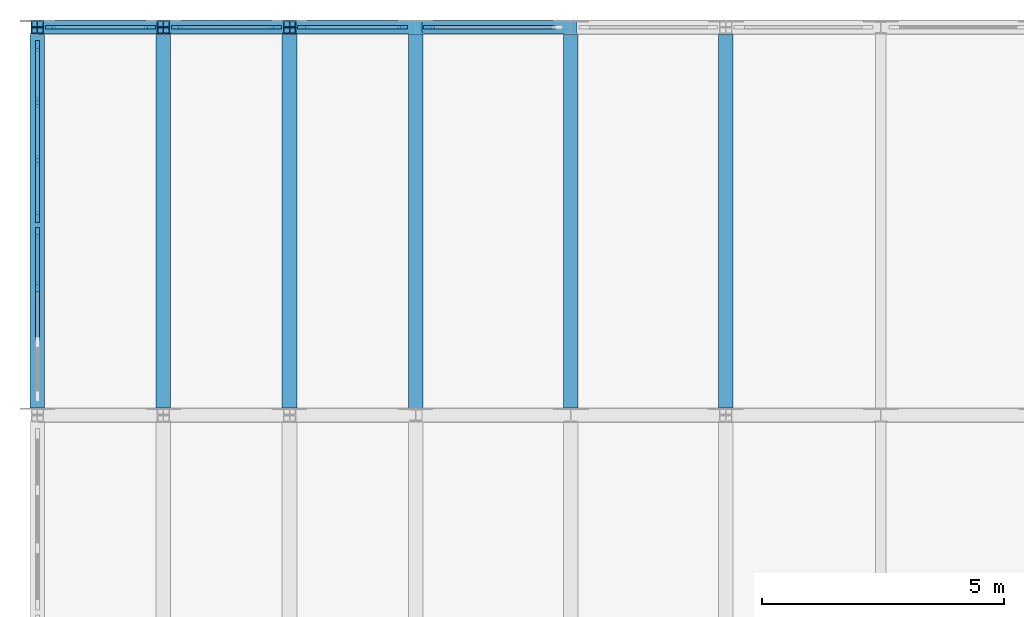
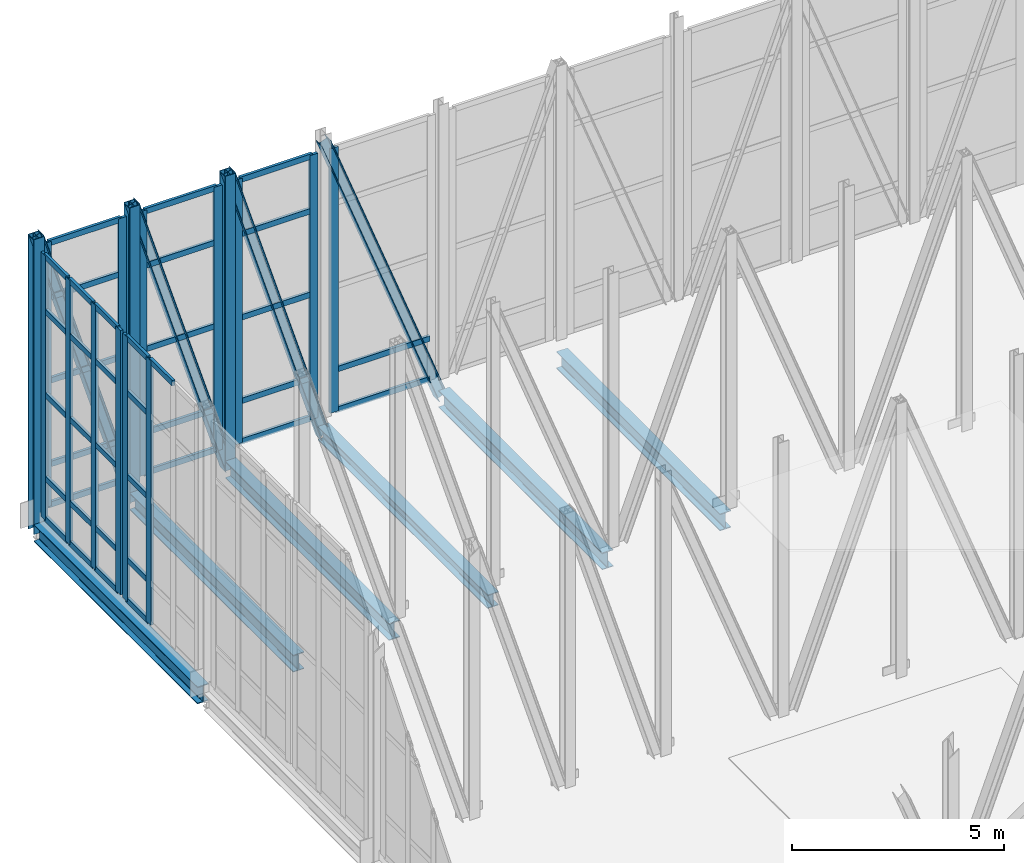
# One storey, part 43 of 73: 58 members, 6 beams, 6 elements without a shape of their own.
"""IFC4 building model written with IfcOpenShell, lengths in metres."""

from ifc_helpers import new_model, si_unit, direction, frame, origin, origin_2d, place, context, subcontext, project, spatial, rectangle, i_section, extrude, material, layer, layer_set, material_profile, profile_set, type_object, element, aggregate, save


model = new_model("IFC4")

# Units and contexts
model_context = context("Model", 3, precision=1e-05, world=origin(), true_north=direction((0.0, 1.0)))
body_context = subcontext(model_context, "Body", "Model", "MODEL_VIEW")
ifc_project = project(units=[si_unit("LENGTHUNIT", "METRE"), si_unit("AREAUNIT", "SQUARE_METRE"), si_unit("VOLUMEUNIT", "CUBIC_METRE"), si_unit("PLANEANGLEUNIT", "RADIAN"), si_unit("MASSUNIT", "GRAM", prefix="KILO")], contexts=[model_context])

# Site, building, storey
site_placement = place(None, origin())
site = spatial("IfcSite", under=ifc_project, at=site_placement, CompositionType="ELEMENT")
building_placement = place(site_placement, origin())
building = spatial("IfcBuilding", under=site, at=building_placement, Name="Alderhovde Museum", CompositionType="ELEMENT")
storey_placement = place(building_placement, frame((0.0, 0.0, 17.39990234375)))
storey = spatial("IfcBuildingStorey", under=building, at=storey_placement, Name="L04", CompositionType="ELEMENT", Elevation=17.39990234375)

# Beams
ifc_material_1 = material(Name="Steel S355J2", Category="steel")
ifc_material_profile_1 = material_profile(ifc_material_1, i_section(OverallWidth=0.300048828125, OverallDepth=0.389892578125, WebThickness=0.010986328125, FlangeThickness=0.01904296875, FilletRadius=0.027099609375, at=origin_2d()), Name="HEA 400")
ifc_profile_set_1 = profile_set([ifc_material_profile_1], Name="Steel S355J2")
beam_type_1 = type_object("IfcBeamType", Name="BM-HEA400", PredefinedType="BEAM", material=ifc_profile_set_1)
beam_placement = place(storey_placement, frame((9.60009765625, 104.0, -0.474853515625), z_axis=(0.0, 1.0, 0.0), x_axis=(-1.0, 0.0, 0.0)))
element("IfcBeam", 1, at=beam_placement, inside=storey, type_object=beam_type_1, Name="L04 Grid Beam X=9.6 (104.0 TO 112.0)", PredefinedType="BEAM", context=body_context, shape_type="SweptSolid", body=[
    extrude(i_section(OverallWidth=0.300048828125, OverallDepth=0.389892578125, WebThickness=0.010986328125, FlangeThickness=0.01904296875, FilletRadius=0.027099609375, at=origin_2d()), origin(), (0.0, 0.0, 1.0), 8.0),
])
ifc_material_2 = material(Name="Steel S355J2", Category="steel")
ifc_material_profile_2 = material_profile(ifc_material_2, i_section(OverallWidth=0.300048828125, OverallDepth=0.489990234375, WebThickness=0.011962890625, FlangeThickness=0.02294921875, FilletRadius=0.027099609375, at=origin_2d()), Name="HEA 500")
ifc_profile_set_2 = profile_set([ifc_material_profile_2], Name="Steel S355J2")
beam_type_2 = type_object("IfcBeamType", Name="BM-HEA500", PredefinedType="BEAM", material=ifc_profile_set_2)
for number, where, z_axis, x_axis, name in (
    (2, (1.800048828125, 104.14990234375, -0.52490234375), (0.0, 1.0, 0.0), (-1.0, 0.0, 0.0), "L04 Transfer Transverse Beam X=1.8"),
    (3, (4.39990234375, 104.14990234375, -0.52490234375), (0.0, 1.0, 0.0), (-1.0, 0.0, 0.0), "L04 Transfer Transverse Beam X=4.4"),
    (4, (7.0, 104.14990234375, -0.52490234375), (0.0, 1.0, 0.0), (-1.0, 0.0, 0.0), "L04 Transfer Transverse Beam X=7.0"),
    (5, (12.800048828125, 104.14990234375, -0.52490234375), (0.0, 1.0, 0.0), (-1.0, 0.0, 0.0), "L04 Transfer Transverse Beam X=12.8"),
    (6, (16.0, 104.14990234375, -0.52490234375), (0.0, 1.0, 0.0), (-1.0, 0.0, 0.0), "L04 Transfer Transverse Beam X=16.0"),
):
    element("IfcBeam", number, at=place(storey_placement, frame(where, z_axis=z_axis, x_axis=x_axis)), inside=storey, type_object=beam_type_2, Name=name, PredefinedType="BEAM", context=body_context, shape_type="SweptSolid", body=[
        extrude(i_section(OverallWidth=0.300048828125, OverallDepth=0.489990234375, WebThickness=0.011962890625, FlangeThickness=0.02294921875, FilletRadius=0.027099609375, at=origin_2d()), origin(), (0.0, 0.0, 1.0), 7.7001953125),
    ])

# Curtain wall, members
ifc_material_3 = material(Name="Triple-Glazed Bronze-Anodised Curtain Wall", Category="glass")
ifc_layer_1 = layer(ifc_material_3, 0.219970703125)
ifc_layer_set_1 = layer_set([ifc_layer_1], Name="Triple-Glazed Bronze-Anodised Curtain Wall")
curtain_wall_type_1 = type_object("IfcCurtainWallType", Name="CW-UNIT-345x760", PredefinedType="USERDEFINED", material=ifc_layer_set_1)
curtain_wall_1_placement = place(storey_placement, origin())
curtain_wall_1 = element("IfcCurtainWall", 7, at=curtain_wall_1_placement, inside=storey, type_object=curtain_wall_type_1, Name="L04 Unitised Curtain Wall 117", ObjectType="UNITISED CURTAIN WALL", PredefinedType="USERDEFINED")
ifc_material_4 = material(Name="Bronze-Anodised Aluminium EN AW-6063-T6", Category="aluminium")
ifc_material_profile_3 = material_profile(ifc_material_4, rectangle(XDim=0.074951171875, YDim=0.219970703125, at=origin_2d()), Name="MULLION 75x220")
ifc_profile_set_3 = profile_set([ifc_material_profile_3], Name="Bronze-Anodised Aluminium EN AW-6063-T6")
member_type_1 = type_object("IfcMemberType", Name="CWM-75x220", PredefinedType="MULLION", material=ifc_profile_set_3)
member_1_placement = place(storey_placement, frame((1.800048828125, 106.64990234375, 0.0), z_axis=(0.0, 0.0, 1.0), x_axis=(-1.0, 0.0, 0.0)))
member_1 = element("IfcMember", 8, at=member_1_placement, type_object=member_type_1, Name="CW27 mullion 3", PredefinedType="MULLION", context=body_context, shape_type="SweptSolid", body=[
    extrude(rectangle(XDim=0.074951171875, YDim=0.219970703125, at=origin_2d()), origin(), (0.0, 0.0, 1.0), 7.60009765625),
])
member_2_placement = place(storey_placement, frame((1.800048828125, 107.762451171875, 0.0), z_axis=(0.0, 0.0, 1.0), x_axis=(-1.0, 0.0, 0.0)))
member_2 = element("IfcMember", 9, at=member_2_placement, type_object=member_type_1, Name="CW27 mullion 4", PredefinedType="MULLION", context=body_context, shape_type="SweptSolid", body=[
    extrude(rectangle(XDim=0.074951171875, YDim=0.219970703125, at=origin_2d()), origin(), (0.0, 0.0, 1.0), 7.60009765625),
])

ifc_material_5 = material(Name="Triple-Glazed Bronze-Anodised Curtain Wall", Category="glass")
ifc_layer_2 = layer(ifc_material_5, 0.219970703125)
ifc_layer_set_2 = layer_set([ifc_layer_2], Name="Triple-Glazed Bronze-Anodised Curtain Wall")
curtain_wall_type_2 = type_object("IfcCurtainWallType", Name="CW-UNIT-360x760", PredefinedType="USERDEFINED", material=ifc_layer_set_2)
curtain_wall_2_placement = place(storey_placement, origin())
curtain_wall_2 = element("IfcCurtainWall", 10, at=curtain_wall_2_placement, inside=storey, type_object=curtain_wall_type_2, Name="L04 Unitised Curtain Wall 118", ObjectType="UNITISED CURTAIN WALL", PredefinedType="USERDEFINED")
member_3_placement = place(storey_placement, frame((1.800048828125, 108.08740234375, 0.0), z_axis=(0.0, 0.0, 1.0), x_axis=(-1.0, 0.0, 0.0)))
member_3 = element("IfcMember", 11, at=member_3_placement, type_object=member_type_1, Name="CW28 mullion 1", PredefinedType="MULLION", context=body_context, shape_type="SweptSolid", body=[
    extrude(rectangle(XDim=0.074951171875, YDim=0.219970703125, at=origin_2d()), origin(), (0.0, 0.0, 1.0), 7.60009765625),
])
member_4_placement = place(storey_placement, frame((1.800048828125, 109.25, 0.0), z_axis=(0.0, 0.0, 1.0), x_axis=(-1.0, 0.0, 0.0)))
member_4 = element("IfcMember", 12, at=member_4_placement, type_object=member_type_1, Name="CW28 mullion 2", PredefinedType="MULLION", context=body_context, shape_type="SweptSolid", body=[
    extrude(rectangle(XDim=0.074951171875, YDim=0.219970703125, at=origin_2d()), origin(), (0.0, 0.0, 1.0), 7.60009765625),
])
member_5_placement = place(storey_placement, frame((1.800048828125, 110.449951171875, 0.0), z_axis=(0.0, 0.0, 1.0), x_axis=(-1.0, 0.0, 0.0)))
member_5 = element("IfcMember", 13, at=member_5_placement, type_object=member_type_1, Name="CW28 mullion 3", PredefinedType="MULLION", context=body_context, shape_type="SweptSolid", body=[
    extrude(rectangle(XDim=0.074951171875, YDim=0.219970703125, at=origin_2d()), origin(), (0.0, 0.0, 1.0), 7.60009765625),
])
member_6_placement = place(storey_placement, frame((1.800048828125, 111.612548828125, 0.0), z_axis=(0.0, 0.0, 1.0), x_axis=(-1.0, 0.0, 0.0)))
member_6 = element("IfcMember", 14, at=member_6_placement, type_object=member_type_1, Name="CW28 mullion 4", PredefinedType="MULLION", context=body_context, shape_type="SweptSolid", body=[
    extrude(rectangle(XDim=0.074951171875, YDim=0.219970703125, at=origin_2d()), origin(), (0.0, 0.0, 1.0), 7.60009765625),
])

ifc_material_6 = material(Name="Triple-Glazed Bronze-Anodised Curtain Wall", Category="glass")
ifc_layer_3 = layer(ifc_material_6, 0.219970703125)
ifc_layer_set_3 = layer_set([ifc_layer_3], Name="Triple-Glazed Bronze-Anodised Curtain Wall")
curtain_wall_type_3 = type_object("IfcCurtainWallType", Name="CW-UNIT-212x760", PredefinedType="USERDEFINED", material=ifc_layer_set_3)
curtain_wall_3_placement = place(storey_placement, origin())
curtain_wall_3 = element("IfcCurtainWall", 15, at=curtain_wall_3_placement, inside=storey, type_object=curtain_wall_type_3, Name="L04 Unitised Curtain Wall 119", ObjectType="UNITISED CURTAIN WALL", PredefinedType="USERDEFINED")
member_7_placement = place(storey_placement, frame((2.077392578125, 112.0, 0.0), z_axis=(0.0, 0.0, 1.0), x_axis=(0.0, 1.0, 0.0)))
member_7 = element("IfcMember", 16, at=member_7_placement, type_object=member_type_1, Name="CW29 mullion 1", PredefinedType="MULLION", context=body_context, shape_type="SweptSolid", body=[
    extrude(rectangle(XDim=0.074951171875, YDim=0.219970703125, at=origin_2d()), origin(), (0.0, 0.0, 1.0), 7.60009765625),
])
member_8_placement = place(storey_placement, frame((4.12255859375, 112.0, 0.0), z_axis=(0.0, 0.0, 1.0), x_axis=(0.0, 1.0, 0.0)))
member_8 = element("IfcMember", 17, at=member_8_placement, type_object=member_type_1, Name="CW29 mullion 2", PredefinedType="MULLION", context=body_context, shape_type="SweptSolid", body=[
    extrude(rectangle(XDim=0.074951171875, YDim=0.219970703125, at=origin_2d()), origin(), (0.0, 0.0, 1.0), 7.60009765625),
])

curtain_wall_4_placement = place(storey_placement, origin())
curtain_wall_4 = element("IfcCurtainWall", 18, at=curtain_wall_4_placement, inside=storey, type_object=curtain_wall_type_3, Name="L04 Unitised Curtain Wall 121", ObjectType="UNITISED CURTAIN WALL", PredefinedType="USERDEFINED")
member_9_placement = place(storey_placement, frame((4.677490234375, 112.0, 0.0), z_axis=(0.0, 0.0, 1.0), x_axis=(0.0, 1.0, 0.0)))
member_9 = element("IfcMember", 19, at=member_9_placement, type_object=member_type_1, Name="CW29 mullion 1", PredefinedType="MULLION", context=body_context, shape_type="SweptSolid", body=[
    extrude(rectangle(XDim=0.074951171875, YDim=0.219970703125, at=origin_2d()), origin(), (0.0, 0.0, 1.0), 7.60009765625),
])
member_10_placement = place(storey_placement, frame((6.722412109375, 112.0, 0.0), z_axis=(0.0, 0.0, 1.0), x_axis=(0.0, 1.0, 0.0)))
member_10 = element("IfcMember", 20, at=member_10_placement, type_object=member_type_1, Name="CW29 mullion 2", PredefinedType="MULLION", context=body_context, shape_type="SweptSolid", body=[
    extrude(rectangle(XDim=0.074951171875, YDim=0.219970703125, at=origin_2d()), origin(), (0.0, 0.0, 1.0), 7.60009765625),
])

curtain_wall_5_placement = place(storey_placement, origin())
curtain_wall_5 = element("IfcCurtainWall", 21, at=curtain_wall_5_placement, inside=storey, type_object=curtain_wall_type_3, Name="L04 Unitised Curtain Wall 123", ObjectType="UNITISED CURTAIN WALL", PredefinedType="USERDEFINED")
member_11_placement = place(storey_placement, frame((7.277587890625, 112.0, 0.0), z_axis=(0.0, 0.0, 1.0), x_axis=(0.0, 1.0, 0.0)))
member_11 = element("IfcMember", 22, at=member_11_placement, type_object=member_type_1, Name="CW29 mullion 1", PredefinedType="MULLION", context=body_context, shape_type="SweptSolid", body=[
    extrude(rectangle(XDim=0.074951171875, YDim=0.219970703125, at=origin_2d()), origin(), (0.0, 0.0, 1.0), 7.60009765625),
])
member_12_placement = place(storey_placement, frame((9.322509765625, 112.0, 0.0), z_axis=(0.0, 0.0, 1.0), x_axis=(0.0, 1.0, 0.0)))
member_12 = element("IfcMember", 23, at=member_12_placement, type_object=member_type_1, Name="CW29 mullion 2", PredefinedType="MULLION", context=body_context, shape_type="SweptSolid", body=[
    extrude(rectangle(XDim=0.074951171875, YDim=0.219970703125, at=origin_2d()), origin(), (0.0, 0.0, 1.0), 7.60009765625),
])

# Curtain wall, member
ifc_material_7 = material(Name="Triple-Glazed Bronze-Anodised Curtain Wall", Category="glass")
ifc_layer_4 = layer(ifc_material_7, 0.219970703125)
ifc_layer_set_4 = layer_set([ifc_layer_4], Name="Triple-Glazed Bronze-Anodised Curtain Wall")
curtain_wall_type_4 = type_object("IfcCurtainWallType", Name="CW-UNIT-272x760", PredefinedType="USERDEFINED", material=ifc_layer_set_4)
curtain_wall_6_placement = place(storey_placement, origin())
curtain_wall_6 = element("IfcCurtainWall", 24, at=curtain_wall_6_placement, inside=storey, type_object=curtain_wall_type_4, Name="L04 Unitised Curtain Wall 125", ObjectType="UNITISED CURTAIN WALL", PredefinedType="USERDEFINED")
member_13_placement = place(storey_placement, frame((9.87744140625, 112.0, 0.0), z_axis=(0.0, 0.0, 1.0), x_axis=(0.0, 1.0, 0.0)))
member_13 = element("IfcMember", 25, at=member_13_placement, type_object=member_type_1, Name="CW30 mullion 1", PredefinedType="MULLION", context=body_context, shape_type="SweptSolid", body=[
    extrude(rectangle(XDim=0.074951171875, YDim=0.219970703125, at=origin_2d()), origin(), (0.0, 0.0, 1.0), 7.60009765625),
])

# Member
ifc_material_8 = material(Name="Bronze-Anodised Aluminium EN AW-6063-T6", Category="aluminium")
ifc_material_profile_4 = material_profile(ifc_material_8, rectangle(XDim=0.074951171875, YDim=0.159912109375, at=origin_2d()), Name="TRANSOM 75x160")
ifc_profile_set_4 = profile_set([ifc_material_profile_4], Name="Bronze-Anodised Aluminium EN AW-6063-T6")
member_type_2 = type_object("IfcMemberType", Name="CWT-75x160", PredefinedType="USERDEFINED", material=ifc_profile_set_4)
member_14_placement = place(storey_placement, frame((1.800048828125, 105.53759765625, 7.5625), z_axis=(0.0, 1.0, 0.0), x_axis=(-1.0, 0.0, 0.0)))
member_14 = element("IfcMember", 26, at=member_14_placement, type_object=member_type_2, Name="CW27 transom 2.5", ObjectType="TRANSOM", PredefinedType="USERDEFINED", context=body_context, shape_type="SweptSolid", body=[
    extrude(rectangle(XDim=0.074951171875, YDim=0.159912109375, at=origin_2d()), origin(), (0.0, 0.0, 1.0), 1.074951171875),
])

member_15_placement = place(storey_placement, frame((1.800048828125, 106.6875, 0.03759765625), z_axis=(0.0, 1.0, 0.0), x_axis=(-1.0, 0.0, 0.0)))
member_15 = element("IfcMember", 27, at=member_15_placement, type_object=member_type_2, Name="CW27 transom 3.1", ObjectType="TRANSOM", PredefinedType="USERDEFINED", context=body_context, shape_type="SweptSolid", body=[
    extrude(rectangle(XDim=0.074951171875, YDim=0.159912109375, at=origin_2d()), origin(), (0.0, 0.0, 1.0), 1.03759765625),
])

member_16_placement = place(storey_placement, frame((1.800048828125, 106.6875, 1.2001953125), z_axis=(0.0, 1.0, 0.0), x_axis=(-1.0, 0.0, 0.0)))
member_16 = element("IfcMember", 28, at=member_16_placement, type_object=member_type_2, Name="CW27 transom 3.2", ObjectType="TRANSOM", PredefinedType="USERDEFINED", context=body_context, shape_type="SweptSolid", body=[
    extrude(rectangle(XDim=0.074951171875, YDim=0.159912109375, at=origin_2d()), origin(), (0.0, 0.0, 1.0), 1.03759765625),
])

member_17_placement = place(storey_placement, frame((1.800048828125, 106.6875, 3.60009765625), z_axis=(0.0, 1.0, 0.0), x_axis=(-1.0, 0.0, 0.0)))
member_17 = element("IfcMember", 29, at=member_17_placement, type_object=member_type_2, Name="CW27 transom 3.3", ObjectType="TRANSOM", PredefinedType="USERDEFINED", context=body_context, shape_type="SweptSolid", body=[
    extrude(rectangle(XDim=0.074951171875, YDim=0.159912109375, at=origin_2d()), origin(), (0.0, 0.0, 1.0), 1.03759765625),
])

member_18_placement = place(storey_placement, frame((1.800048828125, 106.6875, 6.0), z_axis=(0.0, 1.0, 0.0), x_axis=(-1.0, 0.0, 0.0)))
member_18 = element("IfcMember", 30, at=member_18_placement, type_object=member_type_2, Name="CW27 transom 3.4", ObjectType="TRANSOM", PredefinedType="USERDEFINED", context=body_context, shape_type="SweptSolid", body=[
    extrude(rectangle(XDim=0.074951171875, YDim=0.159912109375, at=origin_2d()), origin(), (0.0, 0.0, 1.0), 1.03759765625),
])

member_19_placement = place(storey_placement, frame((1.800048828125, 106.6875, 7.5625), z_axis=(0.0, 1.0, 0.0), x_axis=(-1.0, 0.0, 0.0)))
member_19 = element("IfcMember", 31, at=member_19_placement, type_object=member_type_2, Name="CW27 transom 3.5", ObjectType="TRANSOM", PredefinedType="USERDEFINED", context=body_context, shape_type="SweptSolid", body=[
    extrude(rectangle(XDim=0.074951171875, YDim=0.159912109375, at=origin_2d()), origin(), (0.0, 0.0, 1.0), 1.03759765625),
])

aggregate(curtain_wall_1, [member_1, member_2, member_14, member_15, member_16, member_17, member_18, member_19])

member_20_placement = place(storey_placement, frame((1.800048828125, 108.125, 0.03759765625), z_axis=(0.0, 1.0, 0.0), x_axis=(-1.0, 0.0, 0.0)))
member_20 = element("IfcMember", 32, at=member_20_placement, type_object=member_type_2, Name="CW28 transom 1.1", ObjectType="TRANSOM", PredefinedType="USERDEFINED", context=body_context, shape_type="SweptSolid", body=[
    extrude(rectangle(XDim=0.074951171875, YDim=0.159912109375, at=origin_2d()), origin(), (0.0, 0.0, 1.0), 1.08740234375),
])

member_21_placement = place(storey_placement, frame((1.800048828125, 108.125, 1.2001953125), z_axis=(0.0, 1.0, 0.0), x_axis=(-1.0, 0.0, 0.0)))
member_21 = element("IfcMember", 33, at=member_21_placement, type_object=member_type_2, Name="CW28 transom 1.2", ObjectType="TRANSOM", PredefinedType="USERDEFINED", context=body_context, shape_type="SweptSolid", body=[
    extrude(rectangle(XDim=0.074951171875, YDim=0.159912109375, at=origin_2d()), origin(), (0.0, 0.0, 1.0), 1.08740234375),
])

member_22_placement = place(storey_placement, frame((1.800048828125, 108.125, 3.60009765625), z_axis=(0.0, 1.0, 0.0), x_axis=(-1.0, 0.0, 0.0)))
member_22 = element("IfcMember", 34, at=member_22_placement, type_object=member_type_2, Name="CW28 transom 1.3", ObjectType="TRANSOM", PredefinedType="USERDEFINED", context=body_context, shape_type="SweptSolid", body=[
    extrude(rectangle(XDim=0.074951171875, YDim=0.159912109375, at=origin_2d()), origin(), (0.0, 0.0, 1.0), 1.08740234375),
])

member_23_placement = place(storey_placement, frame((1.800048828125, 108.125, 6.0), z_axis=(0.0, 1.0, 0.0), x_axis=(-1.0, 0.0, 0.0)))
member_23 = element("IfcMember", 35, at=member_23_placement, type_object=member_type_2, Name="CW28 transom 1.4", ObjectType="TRANSOM", PredefinedType="USERDEFINED", context=body_context, shape_type="SweptSolid", body=[
    extrude(rectangle(XDim=0.074951171875, YDim=0.159912109375, at=origin_2d()), origin(), (0.0, 0.0, 1.0), 1.08740234375),
])

member_24_placement = place(storey_placement, frame((1.800048828125, 108.125, 7.5625), z_axis=(0.0, 1.0, 0.0), x_axis=(-1.0, 0.0, 0.0)))
member_24 = element("IfcMember", 36, at=member_24_placement, type_object=member_type_2, Name="CW28 transom 1.5", ObjectType="TRANSOM", PredefinedType="USERDEFINED", context=body_context, shape_type="SweptSolid", body=[
    extrude(rectangle(XDim=0.074951171875, YDim=0.159912109375, at=origin_2d()), origin(), (0.0, 0.0, 1.0), 1.08740234375),
])

member_25_placement = place(storey_placement, frame((1.800048828125, 109.28759765625, 0.03759765625), z_axis=(0.0, 1.0, 0.0), x_axis=(-1.0, 0.0, 0.0)))
member_25 = element("IfcMember", 37, at=member_25_placement, type_object=member_type_2, Name="CW28 transom 2.1", ObjectType="TRANSOM", PredefinedType="USERDEFINED", context=body_context, shape_type="SweptSolid", body=[
    extrude(rectangle(XDim=0.074951171875, YDim=0.159912109375, at=origin_2d()), origin(), (0.0, 0.0, 1.0), 1.125),
])

member_26_placement = place(storey_placement, frame((1.800048828125, 109.28759765625, 1.2001953125), z_axis=(0.0, 1.0, 0.0), x_axis=(-1.0, 0.0, 0.0)))
member_26 = element("IfcMember", 38, at=member_26_placement, type_object=member_type_2, Name="CW28 transom 2.2", ObjectType="TRANSOM", PredefinedType="USERDEFINED", context=body_context, shape_type="SweptSolid", body=[
    extrude(rectangle(XDim=0.074951171875, YDim=0.159912109375, at=origin_2d()), origin(), (0.0, 0.0, 1.0), 1.125),
])

member_27_placement = place(storey_placement, frame((1.800048828125, 109.28759765625, 3.60009765625), z_axis=(0.0, 1.0, 0.0), x_axis=(-1.0, 0.0, 0.0)))
member_27 = element("IfcMember", 39, at=member_27_placement, type_object=member_type_2, Name="CW28 transom 2.3", ObjectType="TRANSOM", PredefinedType="USERDEFINED", context=body_context, shape_type="SweptSolid", body=[
    extrude(rectangle(XDim=0.074951171875, YDim=0.159912109375, at=origin_2d()), origin(), (0.0, 0.0, 1.0), 1.125),
])

member_28_placement = place(storey_placement, frame((1.800048828125, 109.28759765625, 6.0), z_axis=(0.0, 1.0, 0.0), x_axis=(-1.0, 0.0, 0.0)))
member_28 = element("IfcMember", 40, at=member_28_placement, type_object=member_type_2, Name="CW28 transom 2.4", ObjectType="TRANSOM", PredefinedType="USERDEFINED", context=body_context, shape_type="SweptSolid", body=[
    extrude(rectangle(XDim=0.074951171875, YDim=0.159912109375, at=origin_2d()), origin(), (0.0, 0.0, 1.0), 1.125),
])

member_29_placement = place(storey_placement, frame((1.800048828125, 109.28759765625, 7.5625), z_axis=(0.0, 1.0, 0.0), x_axis=(-1.0, 0.0, 0.0)))
member_29 = element("IfcMember", 41, at=member_29_placement, type_object=member_type_2, Name="CW28 transom 2.5", ObjectType="TRANSOM", PredefinedType="USERDEFINED", context=body_context, shape_type="SweptSolid", body=[
    extrude(rectangle(XDim=0.074951171875, YDim=0.159912109375, at=origin_2d()), origin(), (0.0, 0.0, 1.0), 1.125),
])

member_30_placement = place(storey_placement, frame((1.800048828125, 110.487548828125, 0.03759765625), z_axis=(0.0, 1.0, 0.0), x_axis=(-1.0, 0.0, 0.0)))
member_30 = element("IfcMember", 42, at=member_30_placement, type_object=member_type_2, Name="CW28 transom 3.1", ObjectType="TRANSOM", PredefinedType="USERDEFINED", context=body_context, shape_type="SweptSolid", body=[
    extrude(rectangle(XDim=0.074951171875, YDim=0.159912109375, at=origin_2d()), origin(), (0.0, 0.0, 1.0), 1.08740234375),
])

member_31_placement = place(storey_placement, frame((1.800048828125, 110.487548828125, 1.2001953125), z_axis=(0.0, 1.0, 0.0), x_axis=(-1.0, 0.0, 0.0)))
member_31 = element("IfcMember", 43, at=member_31_placement, type_object=member_type_2, Name="CW28 transom 3.2", ObjectType="TRANSOM", PredefinedType="USERDEFINED", context=body_context, shape_type="SweptSolid", body=[
    extrude(rectangle(XDim=0.074951171875, YDim=0.159912109375, at=origin_2d()), origin(), (0.0, 0.0, 1.0), 1.08740234375),
])

member_32_placement = place(storey_placement, frame((1.800048828125, 110.487548828125, 3.60009765625), z_axis=(0.0, 1.0, 0.0), x_axis=(-1.0, 0.0, 0.0)))
member_32 = element("IfcMember", 44, at=member_32_placement, type_object=member_type_2, Name="CW28 transom 3.3", ObjectType="TRANSOM", PredefinedType="USERDEFINED", context=body_context, shape_type="SweptSolid", body=[
    extrude(rectangle(XDim=0.074951171875, YDim=0.159912109375, at=origin_2d()), origin(), (0.0, 0.0, 1.0), 1.08740234375),
])

member_33_placement = place(storey_placement, frame((1.800048828125, 110.487548828125, 6.0), z_axis=(0.0, 1.0, 0.0), x_axis=(-1.0, 0.0, 0.0)))
member_33 = element("IfcMember", 45, at=member_33_placement, type_object=member_type_2, Name="CW28 transom 3.4", ObjectType="TRANSOM", PredefinedType="USERDEFINED", context=body_context, shape_type="SweptSolid", body=[
    extrude(rectangle(XDim=0.074951171875, YDim=0.159912109375, at=origin_2d()), origin(), (0.0, 0.0, 1.0), 1.08740234375),
])

member_34_placement = place(storey_placement, frame((1.800048828125, 110.487548828125, 7.5625), z_axis=(0.0, 1.0, 0.0), x_axis=(-1.0, 0.0, 0.0)))
member_34 = element("IfcMember", 46, at=member_34_placement, type_object=member_type_2, Name="CW28 transom 3.5", ObjectType="TRANSOM", PredefinedType="USERDEFINED", context=body_context, shape_type="SweptSolid", body=[
    extrude(rectangle(XDim=0.074951171875, YDim=0.159912109375, at=origin_2d()), origin(), (0.0, 0.0, 1.0), 1.08740234375),
])

aggregate(curtain_wall_2, [member_3, member_4, member_5, member_6, member_20, member_21, member_22, member_23, member_24, member_25, member_26, member_27, member_28, member_29, member_30, member_31, member_32, member_33, member_34])

member_35_placement = place(storey_placement, frame((2.114990234375, 112.0, 0.03759765625), z_axis=(1.0, 0.0, 0.0), x_axis=(0.0, 1.0, 0.0)))
member_35 = element("IfcMember", 47, at=member_35_placement, type_object=member_type_2, Name="CW29 transom 1.1", ObjectType="TRANSOM", PredefinedType="USERDEFINED", context=body_context, shape_type="SweptSolid", body=[
    extrude(rectangle(XDim=0.074951171875, YDim=0.159912109375, at=origin_2d()), origin(), (0.0, 0.0, 1.0), 1.969970703125),
])

member_36_placement = place(storey_placement, frame((2.114990234375, 112.0, 1.2001953125), z_axis=(1.0, 0.0, 0.0), x_axis=(0.0, 1.0, 0.0)))
member_36 = element("IfcMember", 48, at=member_36_placement, type_object=member_type_2, Name="CW29 transom 1.2", ObjectType="TRANSOM", PredefinedType="USERDEFINED", context=body_context, shape_type="SweptSolid", body=[
    extrude(rectangle(XDim=0.074951171875, YDim=0.159912109375, at=origin_2d()), origin(), (0.0, 0.0, 1.0), 1.969970703125),
])

member_37_placement = place(storey_placement, frame((2.114990234375, 112.0, 3.60009765625), z_axis=(1.0, 0.0, 0.0), x_axis=(0.0, 1.0, 0.0)))
member_37 = element("IfcMember", 49, at=member_37_placement, type_object=member_type_2, Name="CW29 transom 1.3", ObjectType="TRANSOM", PredefinedType="USERDEFINED", context=body_context, shape_type="SweptSolid", body=[
    extrude(rectangle(XDim=0.074951171875, YDim=0.159912109375, at=origin_2d()), origin(), (0.0, 0.0, 1.0), 1.969970703125),
])

member_38_placement = place(storey_placement, frame((2.114990234375, 112.0, 6.0), z_axis=(1.0, 0.0, 0.0), x_axis=(0.0, 1.0, 0.0)))
member_38 = element("IfcMember", 50, at=member_38_placement, type_object=member_type_2, Name="CW29 transom 1.4", ObjectType="TRANSOM", PredefinedType="USERDEFINED", context=body_context, shape_type="SweptSolid", body=[
    extrude(rectangle(XDim=0.074951171875, YDim=0.159912109375, at=origin_2d()), origin(), (0.0, 0.0, 1.0), 1.969970703125),
])

member_39_placement = place(storey_placement, frame((2.114990234375, 112.0, 7.5625), z_axis=(1.0, 0.0, 0.0), x_axis=(0.0, 1.0, 0.0)))
member_39 = element("IfcMember", 51, at=member_39_placement, type_object=member_type_2, Name="CW29 transom 1.5", ObjectType="TRANSOM", PredefinedType="USERDEFINED", context=body_context, shape_type="SweptSolid", body=[
    extrude(rectangle(XDim=0.074951171875, YDim=0.159912109375, at=origin_2d()), origin(), (0.0, 0.0, 1.0), 1.969970703125),
])

aggregate(curtain_wall_3, [member_7, member_8, member_35, member_36, member_37, member_38, member_39])

member_40_placement = place(storey_placement, frame((4.715087890625, 112.0, 0.03759765625), z_axis=(1.0, 0.0, 0.0), x_axis=(0.0, 1.0, 0.0)))
member_40 = element("IfcMember", 52, at=member_40_placement, type_object=member_type_2, Name="CW29 transom 1.1", ObjectType="TRANSOM", PredefinedType="USERDEFINED", context=body_context, shape_type="SweptSolid", body=[
    extrude(rectangle(XDim=0.074951171875, YDim=0.159912109375, at=origin_2d()), origin(), (0.0, 0.0, 1.0), 1.969970703125),
])

member_41_placement = place(storey_placement, frame((4.715087890625, 112.0, 1.2001953125), z_axis=(1.0, 0.0, 0.0), x_axis=(0.0, 1.0, 0.0)))
member_41 = element("IfcMember", 53, at=member_41_placement, type_object=member_type_2, Name="CW29 transom 1.2", ObjectType="TRANSOM", PredefinedType="USERDEFINED", context=body_context, shape_type="SweptSolid", body=[
    extrude(rectangle(XDim=0.074951171875, YDim=0.159912109375, at=origin_2d()), origin(), (0.0, 0.0, 1.0), 1.969970703125),
])

member_42_placement = place(storey_placement, frame((4.715087890625, 112.0, 3.60009765625), z_axis=(1.0, 0.0, 0.0), x_axis=(0.0, 1.0, 0.0)))
member_42 = element("IfcMember", 54, at=member_42_placement, type_object=member_type_2, Name="CW29 transom 1.3", ObjectType="TRANSOM", PredefinedType="USERDEFINED", context=body_context, shape_type="SweptSolid", body=[
    extrude(rectangle(XDim=0.074951171875, YDim=0.159912109375, at=origin_2d()), origin(), (0.0, 0.0, 1.0), 1.969970703125),
])

member_43_placement = place(storey_placement, frame((4.715087890625, 112.0, 6.0), z_axis=(1.0, 0.0, 0.0), x_axis=(0.0, 1.0, 0.0)))
member_43 = element("IfcMember", 55, at=member_43_placement, type_object=member_type_2, Name="CW29 transom 1.4", ObjectType="TRANSOM", PredefinedType="USERDEFINED", context=body_context, shape_type="SweptSolid", body=[
    extrude(rectangle(XDim=0.074951171875, YDim=0.159912109375, at=origin_2d()), origin(), (0.0, 0.0, 1.0), 1.969970703125),
])

member_44_placement = place(storey_placement, frame((4.715087890625, 112.0, 7.5625), z_axis=(1.0, 0.0, 0.0), x_axis=(0.0, 1.0, 0.0)))
member_44 = element("IfcMember", 56, at=member_44_placement, type_object=member_type_2, Name="CW29 transom 1.5", ObjectType="TRANSOM", PredefinedType="USERDEFINED", context=body_context, shape_type="SweptSolid", body=[
    extrude(rectangle(XDim=0.074951171875, YDim=0.159912109375, at=origin_2d()), origin(), (0.0, 0.0, 1.0), 1.969970703125),
])

aggregate(curtain_wall_4, [member_9, member_10, member_40, member_41, member_42, member_43, member_44])

member_45_placement = place(storey_placement, frame((7.31494140625, 112.0, 0.03759765625), z_axis=(1.0, 0.0, 0.0), x_axis=(0.0, 1.0, 0.0)))
member_45 = element("IfcMember", 57, at=member_45_placement, type_object=member_type_2, Name="CW29 transom 1.1", ObjectType="TRANSOM", PredefinedType="USERDEFINED", context=body_context, shape_type="SweptSolid", body=[
    extrude(rectangle(XDim=0.074951171875, YDim=0.159912109375, at=origin_2d()), origin(), (0.0, 0.0, 1.0), 1.969970703125),
])

member_46_placement = place(storey_placement, frame((7.31494140625, 112.0, 1.2001953125), z_axis=(1.0, 0.0, 0.0), x_axis=(0.0, 1.0, 0.0)))
member_46 = element("IfcMember", 58, at=member_46_placement, type_object=member_type_2, Name="CW29 transom 1.2", ObjectType="TRANSOM", PredefinedType="USERDEFINED", context=body_context, shape_type="SweptSolid", body=[
    extrude(rectangle(XDim=0.074951171875, YDim=0.159912109375, at=origin_2d()), origin(), (0.0, 0.0, 1.0), 1.969970703125),
])

member_47_placement = place(storey_placement, frame((7.31494140625, 112.0, 3.60009765625), z_axis=(1.0, 0.0, 0.0), x_axis=(0.0, 1.0, 0.0)))
member_47 = element("IfcMember", 59, at=member_47_placement, type_object=member_type_2, Name="CW29 transom 1.3", ObjectType="TRANSOM", PredefinedType="USERDEFINED", context=body_context, shape_type="SweptSolid", body=[
    extrude(rectangle(XDim=0.074951171875, YDim=0.159912109375, at=origin_2d()), origin(), (0.0, 0.0, 1.0), 1.969970703125),
])

member_48_placement = place(storey_placement, frame((7.31494140625, 112.0, 6.0), z_axis=(1.0, 0.0, 0.0), x_axis=(0.0, 1.0, 0.0)))
member_48 = element("IfcMember", 60, at=member_48_placement, type_object=member_type_2, Name="CW29 transom 1.4", ObjectType="TRANSOM", PredefinedType="USERDEFINED", context=body_context, shape_type="SweptSolid", body=[
    extrude(rectangle(XDim=0.074951171875, YDim=0.159912109375, at=origin_2d()), origin(), (0.0, 0.0, 1.0), 1.969970703125),
])

member_49_placement = place(storey_placement, frame((7.31494140625, 112.0, 7.5625), z_axis=(1.0, 0.0, 0.0), x_axis=(0.0, 1.0, 0.0)))
member_49 = element("IfcMember", 61, at=member_49_placement, type_object=member_type_2, Name="CW29 transom 1.5", ObjectType="TRANSOM", PredefinedType="USERDEFINED", context=body_context, shape_type="SweptSolid", body=[
    extrude(rectangle(XDim=0.074951171875, YDim=0.159912109375, at=origin_2d()), origin(), (0.0, 0.0, 1.0), 1.969970703125),
])

aggregate(curtain_wall_5, [member_11, member_12, member_45, member_46, member_47, member_48, member_49])

member_50_placement = place(storey_placement, frame((9.9150390625, 112.0, 0.03759765625), z_axis=(1.0, 0.0, 0.0), x_axis=(0.0, 1.0, 0.0)))
member_50 = element("IfcMember", 62, at=member_50_placement, type_object=member_type_2, Name="CW30 transom 1.1", ObjectType="TRANSOM", PredefinedType="USERDEFINED", context=body_context, shape_type="SweptSolid", body=[
    extrude(rectangle(XDim=0.074951171875, YDim=0.159912109375, at=origin_2d()), origin(), (0.0, 0.0, 1.0), 2.570068359375),
])

member_51_placement = place(storey_placement, frame((9.9150390625, 112.0, 1.2001953125), z_axis=(1.0, 0.0, 0.0), x_axis=(0.0, 1.0, 0.0)))
member_51 = element("IfcMember", 63, at=member_51_placement, type_object=member_type_2, Name="CW30 transom 1.2", ObjectType="TRANSOM", PredefinedType="USERDEFINED", context=body_context, shape_type="SweptSolid", body=[
    extrude(rectangle(XDim=0.074951171875, YDim=0.159912109375, at=origin_2d()), origin(), (0.0, 0.0, 1.0), 2.570068359375),
])

aggregate(curtain_wall_6, [member_13, member_50, member_51])

# Members
ifc_material_9 = material(Name="Steel S355J2", Category="steel")
ifc_material_profile_5 = material_profile(ifc_material_9, i_section(OverallWidth=0.280029296875, OverallDepth=0.27001953125, WebThickness=0.008056640625, FlangeThickness=0.012939453125, FilletRadius=0.02392578125, at=origin_2d()), Name="HEA 280")
ifc_profile_set_5 = profile_set([ifc_material_profile_5], Name="Steel S355J2")
member_type_3 = type_object("IfcMemberType", Name="TR-DG-HEA280", PredefinedType="STRUT", material=ifc_profile_set_5)
for number, where, z_axis, x_axis, name in (
    (64, (1.800048828125, 112.0, 7.89013671875), (0.293437112853, 0.0, -0.955978378835), (0.0, 1.0, 0.0), "Transfer Truss Y=112 T2 Diagonal 1"),
    (65, (4.39990234375, 112.0, 7.89013671875), (0.293462295251, 0.0, -0.955970648747), (0.0, 1.0, 0.0), "Transfer Truss Y=112 T2 Diagonal 2"),
    (66, (7.0, 112.0, 7.89013671875), (0.293462295251, 0.0, -0.955970648747), (0.0, 1.0, 0.0), "Transfer Truss Y=112 T2 Diagonal 3"),
):
    element("IfcMember", number, at=place(storey_placement, frame(where, z_axis=z_axis, x_axis=x_axis)), inside=storey, type_object=member_type_3, Name=name, PredefinedType="STRUT", context=body_context, shape_type="SweptSolid", body=[
        extrude(i_section(OverallWidth=0.280029296875, OverallDepth=0.27001953125, WebThickness=0.008056640625, FlangeThickness=0.012939453125, FilletRadius=0.02392578125, at=origin_2d()), origin(), (0.0, 0.0, 1.0), 8.860107421875),
    ])
member_52_placement = place(storey_placement, frame((9.60009765625, 112.0, 7.89013671875), z_axis=(0.353418397118, 0.0, -0.935465358299), x_axis=(0.0, 1.0, 0.0)))
element("IfcMember", 67, at=member_52_placement, inside=storey, type_object=member_type_3, Name="Transfer Truss Y=112 T2 Diagonal 4", PredefinedType="STRUT", context=body_context, shape_type="SweptSolid", body=[
    extrude(i_section(OverallWidth=0.280029296875, OverallDepth=0.27001953125, WebThickness=0.008056640625, FlangeThickness=0.012939453125, FilletRadius=0.02392578125, at=origin_2d()), origin(), (0.0, 0.0, 1.0), 9.05419921875),
])
ifc_material_10 = material(Name="Steel S355J2", Category="steel")
ifc_material_profile_6 = material_profile(ifc_material_10, i_section(OverallWidth=0.280029296875, OverallDepth=0.280029296875, WebThickness=0.010498046875, FlangeThickness=0.01806640625, FilletRadius=0.02392578125, at=origin_2d()), Name="HEB 280")
ifc_profile_set_6 = profile_set([ifc_material_profile_6], Name="Steel S355J2")
member_type_4 = type_object("IfcMemberType", Name="TR-PS-HEB280", PredefinedType="POST", material=ifc_profile_set_6)
for number, where, z_axis, x_axis, name in (
    (68, (1.800048828125, 112.0, -0.579833984375), (0.0, 0.0, 1.0), (1.0, 0.0, 0.0), "Transfer Truss Y=112 T2 Post 1"),
    (69, (4.39990234375, 112.0, -0.579833984375), (0.0, 0.0, 1.0), (1.0, 0.0, 0.0), "Transfer Truss Y=112 T2 Post 2"),
    (70, (7.0, 112.0, -0.579833984375), (0.0, 0.0, 1.0), (1.0, 0.0, 0.0), "Transfer Truss Y=112 T2 Post 3"),
):
    element("IfcMember", number, at=place(storey_placement, frame(where, z_axis=z_axis, x_axis=x_axis)), inside=storey, type_object=member_type_4, Name=name, PredefinedType="POST", context=body_context, shape_type="SweptSolid", body=[
        extrude(i_section(OverallWidth=0.280029296875, OverallDepth=0.280029296875, WebThickness=0.010498046875, FlangeThickness=0.01806640625, FilletRadius=0.02392578125, at=origin_2d()), origin(), (0.0, 0.0, 1.0), 8.469970703125),
    ])

save(model, "model.ifc")
